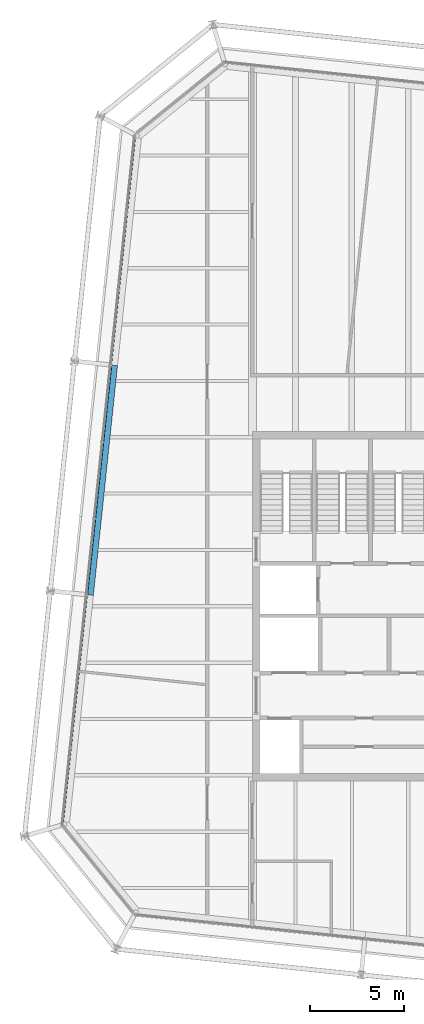
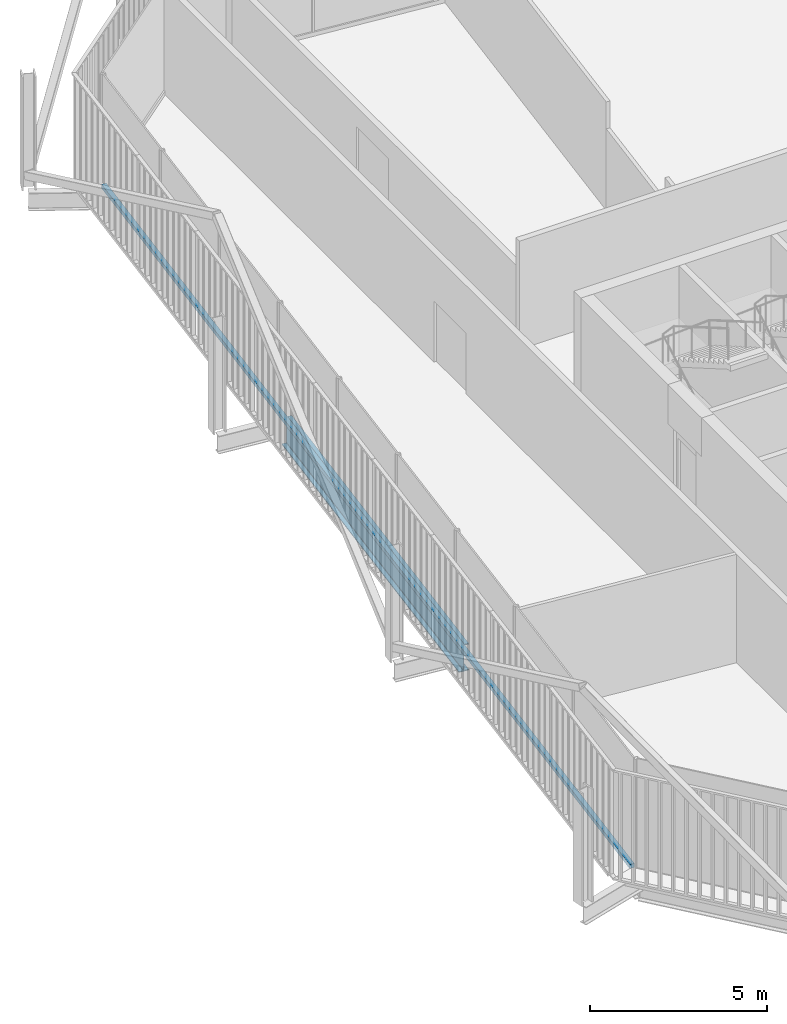
# One storey, part 7 of 21: 1 beam, 1 member, 1 element without a shape of its own.
"""IFC4 building model written with IfcOpenShell, lengths in metres."""

from ifc_helpers import new_model, si_unit, direction, frame, origin, origin_2d, place, context, subcontext, project, spatial, rectangle, i_section, extrude, material, layer, layer_set, material_profile, profile_set, type_object, element, aggregate, save


model = new_model("IFC4")

# Units and contexts
model_context = context("Model", 3, precision=1e-05, world=origin(), true_north=direction((0.0, 1.0)))
body_context = subcontext(model_context, "Body", "Model", "MODEL_VIEW")
ifc_project = project(units=[si_unit("LENGTHUNIT", "METRE"), si_unit("AREAUNIT", "SQUARE_METRE"), si_unit("VOLUMEUNIT", "CUBIC_METRE"), si_unit("PLANEANGLEUNIT", "RADIAN"), si_unit("MASSUNIT", "GRAM", prefix="KILO")], contexts=[model_context])

# Site, building, storey
site_placement = place(None, origin())
site = spatial("IfcSite", under=ifc_project, at=site_placement, CompositionType="ELEMENT")
building_placement = place(site_placement, origin())
building = spatial("IfcBuilding", under=site, at=building_placement, Name="Millrace Tower", CompositionType="ELEMENT")
storey_placement = place(building_placement, frame((0.0, 0.0, 299.39990234375)))
storey = spatial("IfcBuildingStorey", under=building, at=storey_placement, Name="L69", CompositionType="ELEMENT", Elevation=299.39990234375)

# Curtain wall, member
ifc_material_1 = material(Name="Aluminium and glass", Category="aluminium")
ifc_layer = layer(ifc_material_1, 0.14990234375)
ifc_layer_set = layer_set([ifc_layer], Name="Aluminium and glass")
curtain_wall_type = type_object("IfcCurtainWallType", Name="CW-1 office vision curtain wall", PredefinedType="NOTDEFINED", material=ifc_layer_set)
curtain_wall_placement = place(storey_placement, origin())
curtain_wall = element("IfcCurtainWall", 1, at=curtain_wall_placement, inside=storey, type_object=curtain_wall_type, Name="Curtain wall E-F08 L69", PredefinedType="NOTDEFINED")
ifc_material_2 = material(Name="Aluminium", Category="aluminium")
ifc_material_profile_1 = material_profile(ifc_material_2, rectangle(XDim=0.14990234375, YDim=0.139892578125, at=origin_2d()))
ifc_profile_set_1 = profile_set([ifc_material_profile_1], Name="Aluminium")
member_type = type_object("IfcMemberType", Name="CW-1 office vision curtain wall transom", PredefinedType="USERDEFINED", material=ifc_profile_set_1)
member_placement = place(storey_placement, frame((-20.581787109375, 24.9853515625, 0.070068359375), z_axis=(-0.104527916025, -0.994521952886, 0.0), x_axis=(0.994521952886, -0.104527916025, 0.0)))
member = element("IfcMember", 2, at=member_placement, type_object=member_type, Name="CW1 transom E-F08.1", ObjectType="TRANSOM", PredefinedType="USERDEFINED", context=body_context, shape_type="SweptSolid", body=[
    extrude(rectangle(XDim=0.14990234375, YDim=0.139892578125, at=origin_2d()), origin(), (0.0, 0.0, 1.0), 36.699951171875),
])
aggregate(curtain_wall, [member])

# Beam
ifc_material_3 = material(Name="Steel ASTM A992 Grade 50", Category="steel")
ifc_material_profile_2 = material_profile(ifc_material_3, i_section(OverallWidth=0.307373046875, OverallDepth=0.927001953125, WebThickness=0.01953125, FlangeThickness=0.031982421875, FilletRadius=0.01904296875, at=origin_2d()))
ifc_profile_set_2 = profile_set([ifc_material_profile_2], Name="Steel ASTM A992 Grade 50")
beam_type = type_object("IfcBeamType", Name="Ring beam medium span W36x194", PredefinedType="SPANDREL", material=ifc_profile_set_2)
beam_placement = place(storey_placement, frame((-22.915283203125, 0.595703125, -0.62353515625), z_axis=(0.104523600289, 0.994522406476, 0.0), x_axis=(-0.994522406476, 0.104523600289, 0.0)))
element("IfcBeam", 3, at=beam_placement, inside=storey, type_object=beam_type, Name="RNG-E-L69-S1-02", PredefinedType="SPANDREL", context=body_context, shape_type="SweptSolid", body=[
    extrude(i_section(OverallWidth=0.307373046875, OverallDepth=0.927001953125, WebThickness=0.01953125, FlangeThickness=0.031982421875, FilletRadius=0.01904296875, at=origin_2d()), origin(), (0.0, 0.0, 1.0), 12.300048828125),
])

save(model, "model.ifc")
